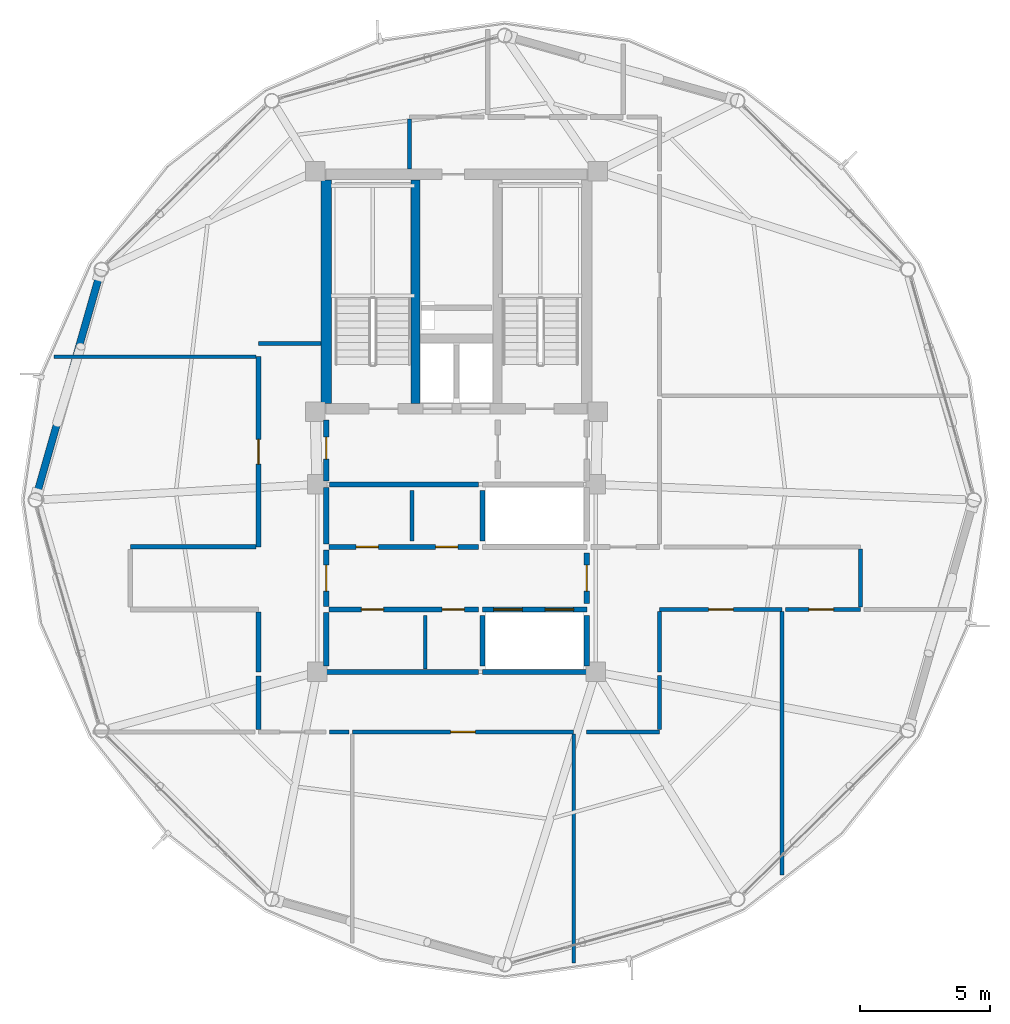
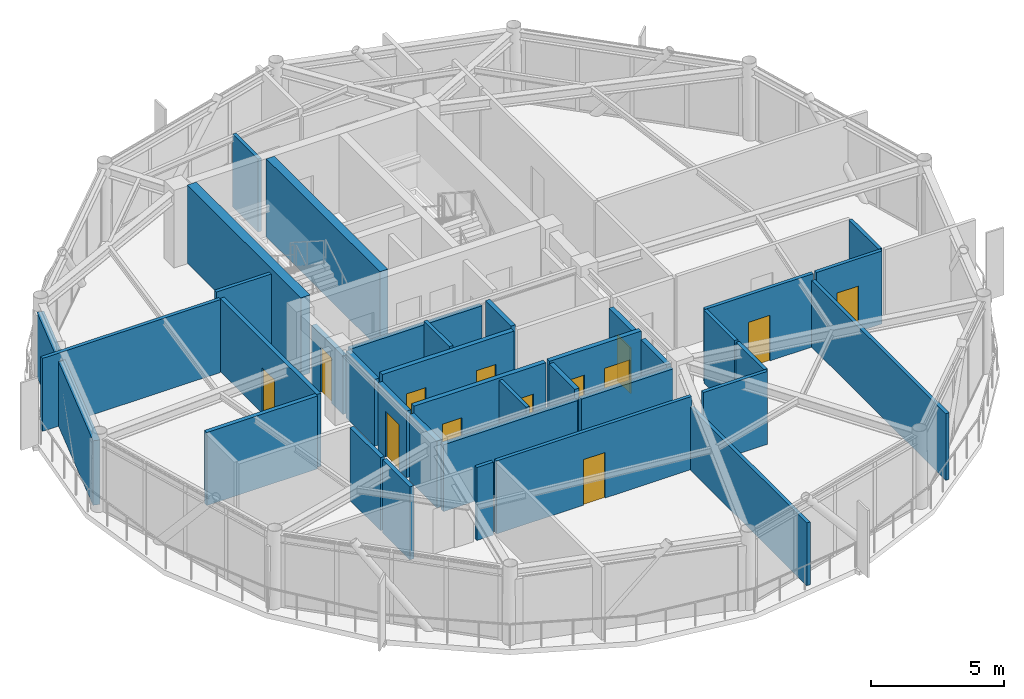
# One storey, part 19 of 24: 36 walls, 13 doors, 13 openings.
"""IFC4 building model written with IfcOpenShell, lengths in metres."""

from ifc_helpers import new_model, si_unit, direction, frame, frame_2d, origin, place, context, subcontext, project, spatial, rectangle, extrude, material, layer, layer_set, type_object, element, fill, save


model = new_model("IFC4")

# Units and contexts
model_context = context("Model", 3, precision=1e-05, world=origin(), true_north=direction((0.0, 1.0)))
body_context = subcontext(model_context, "Body", "Model", "MODEL_VIEW")
ifc_project = project(units=[si_unit("LENGTHUNIT", "METRE"), si_unit("AREAUNIT", "SQUARE_METRE"), si_unit("VOLUMEUNIT", "CUBIC_METRE"), si_unit("PLANEANGLEUNIT", "RADIAN"), si_unit("MASSUNIT", "GRAM", prefix="KILO")], contexts=[model_context])

# Site, building, storey
site_placement = place(None, origin())
site = spatial("IfcSite", under=ifc_project, at=site_placement, CompositionType="ELEMENT")
building_placement = place(site_placement, origin())
building = spatial("IfcBuilding", under=site, at=building_placement, Name="Varnakorn Sky Granary", CompositionType="ELEMENT")
storey_placement = place(building_placement, frame((0.0, 0.0, 274.199951171875)))
storey = spatial("IfcBuildingStorey", under=building, at=storey_placement, Name="L70", CompositionType="ELEMENT", Elevation=274.199951171875)

# Walls
ifc_material_1 = material(Name="Concrete C50/60", Category="concrete")
ifc_layer_1 = layer(ifc_material_1, 0.35009765625, Name="Concrete C50/60")
ifc_layer_set_1 = layer_set([ifc_layer_1], Name="Concrete C50/60")
wall_type_1 = type_object("IfcWallType", Name="WT-CW-INT-350", PredefinedType="SHEAR", material=ifc_layer_set_1)
wall_1_placement = place(storey_placement, frame((1.419921875, 3.7099609375, 0.0), z_axis=(0.0, 0.0, 1.0), x_axis=(0.0, 1.0, 0.0)))
element("IfcWall", 1, at=wall_1_placement, inside=storey, type_object=wall_type_1, Name="Stair ST-1 Core Wall L70", PredefinedType="SHEAR", context=body_context, shape_type="SweptSolid", body=[
    extrude(rectangle(XDim=8.580078125, YDim=0.35009765625, at=frame_2d((4.2900390625, 0.0))), origin(), (0.0, 0.0, 1.0), 3.592041015625),
])
ifc_layer_2 = layer(ifc_material_1, 0.39990234375, Name="Concrete C50/60")
ifc_layer_set_2 = layer_set([ifc_layer_2], Name="Concrete C50/60")
wall_type_2 = type_object("IfcWallType", Name="WT-CW-SHEAR-400", PredefinedType="SHEAR", material=ifc_layer_set_2)
wall_2_placement = place(storey_placement, frame((-2.0, 3.7099609375, 0.0), z_axis=(0.0, 0.0, 1.0), x_axis=(0.0, 1.0, 0.0)))
element("IfcWall", 2, at=wall_2_placement, inside=storey, type_object=wall_type_2, Name="Core West Shear Wall L70", PredefinedType="SHEAR", context=body_context, shape_type="SweptSolid", body=[
    extrude(rectangle(XDim=8.580078125, YDim=0.39990234375, at=frame_2d((4.2900390625, 0.0))), origin(), (0.0, 0.0, 1.0), 3.592041015625),
])
ifc_material_2 = material(Name="Precast concrete C40/50", Category="concrete")
ifc_layer_3 = layer(ifc_material_2, 0.280029296875, Name="Precast concrete C40/50")
ifc_layer_set_3 = layer_set([ifc_layer_3], Name="Precast concrete C40/50")
wall_type_3 = type_object("IfcWallType", Name="WT-EW-CRN-280", PredefinedType="SOLIDWALL", material=ifc_layer_set_3)
wall_3_placement = place(storey_placement, frame((-13.1064453125, 0.2255859375, 0.0), z_axis=(0.0, 0.0, 1.0), x_axis=(0.275001644037, 0.961443755909, 0.0)))
element("IfcWall", 3, at=wall_3_placement, inside=storey, type_object=wall_type_3, Name="Agritech Insulated Precast Facade Wall L70-P06", PredefinedType="SOLIDWALL", context=body_context, shape_type="SweptSolid", body=[
    extrude(rectangle(XDim=8.73583984375, YDim=0.280029296875, at=frame_2d((4.367919921875, 0.0))), origin(), (0.0, 0.0, 1.0), 2.969970703125),
])

# Wall, opening, door
ifc_material_3 = material(Name="Autoclaved Aerated Concrete Blockwork", Category="masonry")
ifc_layer_4 = layer(ifc_material_3, 0.199951171875, Name="Autoclaved Aerated Concrete Blockwork")
ifc_layer_set_4 = layer_set([ifc_layer_4], Name="Autoclaved Aerated Concrete Blockwork")
wall_type_4 = type_object("IfcWallType", Name="WT-FIRE-200", PredefinedType="MOVABLE", material=ifc_layer_set_4)
wall_4_placement = place(storey_placement, frame((-2.0, 0.719970703125, 0.0), z_axis=(0.0, 0.0, 1.0), x_axis=(0.0, 1.0, 0.0)))
wall_4 = element("IfcWall", 4, at=wall_4_placement, inside=storey, type_object=wall_type_4, Name="Interior Partition Wall L70-012", PredefinedType="MOVABLE", context=body_context, shape_type="SweptSolid", body=[
    extrude(rectangle(XDim=2.35009765625, YDim=0.199951171875, at=frame_2d((1.175048828125, 0.0))), origin(), (0.0, 0.0, 1.0), 2.692138671875),
])
opening_1_placement = place(wall_4_placement, frame((0.844970703125, 0.0, 0.0)))
opening_1 = element("IfcOpeningElement", 5, at=opening_1_placement, cuts=wall_4, Name="Opening FD-60N", PredefinedType="OPENING", context=body_context, shape_type="SweptSolid", body=[
    extrude(rectangle(XDim=0.85009765625, YDim=2.10009765625, at=frame_2d((0.425048828125, 1.050048828125))), frame((0.0, 0.10986328125, 0.0), z_axis=(0.0, -1.0, 0.0), x_axis=(1.0, 0.0, 0.0)), (0.0, 0.0, 1.0), 0.219970703125),
])
ifc_material_4 = material(Name="Acoustic Timber Fire Leaf", Category="wood")
door_type_1 = type_object("IfcDoorType", Name="DR-FD60-850", OperationType="NOTDEFINED", PredefinedType="DOOR", material=ifc_material_4)
door_1_placement = place(opening_1_placement, origin())
door_1 = element("IfcDoor", 6, at=door_1_placement, inside=storey, type_object=door_type_1, Name="Interior Door L70-012-1", OperationType="SINGLE_SWING_LEFT", OverallHeight=2.10009765625, OverallWidth=0.85009765625, PredefinedType="DOOR", context=body_context, shape_type="SweptSolid", body=[
    extrude(rectangle(XDim=0.85009765625, YDim=2.10009765625, at=frame_2d((0.425048828125, 1.050048828125))), frame((0.0, 0.02490234375, 0.0), z_axis=(0.0, -1.0, 0.0), x_axis=(1.0, 0.0, 0.0)), (0.0, 0.0, 1.0), 0.050048828125),
])
fill(opening_1, door_1)

wall_5_placement = place(storey_placement, frame((-2.0, -4.080078125, 0.0), z_axis=(0.0, 0.0, 1.0), x_axis=(0.0, 1.0, 0.0)))
wall_5 = element("IfcWall", 7, at=wall_5_placement, inside=storey, type_object=wall_type_4, Name="Interior Partition Wall L70-014", PredefinedType="MOVABLE", context=body_context, shape_type="SweptSolid", body=[
    extrude(rectangle(XDim=2.16015625, YDim=0.199951171875, at=frame_2d((1.080078125, 0.0))), origin(), (0.0, 0.0, 1.0), 3.072021484375),
])
opening_2_placement = place(wall_5_placement, frame((0.580078125, 0.0, 0.0)))
opening_2 = element("IfcOpeningElement", 8, at=opening_2_placement, cuts=wall_5, Name="Opening FD-60", PredefinedType="OPENING", context=body_context, shape_type="SweptSolid", body=[
    extrude(rectangle(XDim=1.0, YDim=2.10009765625, at=frame_2d((0.5, 1.050048828125))), frame((0.0, 0.10986328125, 0.0), z_axis=(0.0, -1.0, 0.0), x_axis=(1.0, 0.0, 0.0)), (0.0, 0.0, 1.0), 0.219970703125),
])
door_type_2 = type_object("IfcDoorType", Name="DR-FD60-1000", OperationType="NOTDEFINED", PredefinedType="DOOR", material=ifc_material_4)
door_2_placement = place(opening_2_placement, origin())
door_2 = element("IfcDoor", 9, at=door_2_placement, inside=storey, type_object=door_type_2, Name="Interior Door L70-014-1", OperationType="SINGLE_SWING_LEFT", OverallHeight=2.10009765625, OverallWidth=1.0, PredefinedType="DOOR", context=body_context, shape_type="SweptSolid", body=[
    extrude(rectangle(XDim=1.0, YDim=2.10009765625, at=frame_2d((0.5, 1.050048828125))), frame((0.0, 0.02490234375, 0.0), z_axis=(0.0, -1.0, 0.0), x_axis=(1.0, 0.0, 0.0)), (0.0, 0.0, 1.0), 0.050048828125),
])
fill(opening_2, door_2)

wall_6_placement = place(storey_placement, frame((8.0, -3.969970703125, 0.0), z_axis=(0.0, 0.0, 1.0), x_axis=(0.0, 1.0, 0.0)))
wall_6 = element("IfcWall", 10, at=wall_6_placement, inside=storey, type_object=wall_type_4, Name="Interior Partition Wall L70-015", PredefinedType="MOVABLE", context=body_context, shape_type="SweptSolid", body=[
    extrude(rectangle(XDim=1.93994140625, YDim=0.199951171875, at=frame_2d((0.969970703125, 0.0))), origin(), (0.0, 0.0, 1.0), 3.072021484375),
])
opening_3_placement = place(wall_6_placement, frame((0.469970703125, 0.0, 0.0)))
opening_3 = element("IfcOpeningElement", 11, at=opening_3_placement, cuts=wall_6, Name="Opening FD-60", PredefinedType="OPENING", context=body_context, shape_type="SweptSolid", body=[
    extrude(rectangle(XDim=1.0, YDim=2.10009765625, at=frame_2d((0.5, 1.050048828125))), frame((0.0, 0.10986328125, 0.0), z_axis=(0.0, -1.0, 0.0), x_axis=(1.0, 0.0, 0.0)), (0.0, 0.0, 1.0), 0.219970703125),
])
door_3_placement = place(opening_3_placement, origin())
door_3 = element("IfcDoor", 12, at=door_3_placement, inside=storey, type_object=door_type_2, Name="Interior Door L70-015-1", OperationType="SINGLE_SWING_RIGHT", OverallHeight=2.10009765625, OverallWidth=1.0, PredefinedType="DOOR", context=body_context, shape_type="SweptSolid", body=[
    extrude(rectangle(XDim=1.0, YDim=2.10009765625, at=frame_2d((0.5, 1.050048828125))), frame((0.0, 0.02490234375, 0.0), z_axis=(0.0, -1.0, 0.0), x_axis=(1.0, 0.0, 0.0)), (0.0, 0.0, 1.0), 0.050048828125),
])
fill(opening_3, door_3)

# Wall, openings, doors
wall_7_placement = place(storey_placement, frame((-1.889892578125, -1.800048828125, 0.0), z_axis=(0.0, 0.0, 1.0), x_axis=(1.0, 0.0, 0.0)))
wall_7 = element("IfcWall", 13, at=wall_7_placement, inside=storey, type_object=wall_type_4, Name="Interior Partition Wall L70-016", PredefinedType="MOVABLE", context=body_context, shape_type="SweptSolid", body=[
    extrude(rectangle(XDim=5.72998046875, YDim=0.199951171875, at=frame_2d((2.864990234375, 0.0))), origin(), (0.0, 0.0, 1.0), 3.360107421875),
])
opening_4_placement = place(wall_7_placement, frame((1.0400390625, 0.0, 0.0)))
opening_4 = element("IfcOpeningElement", 14, at=opening_4_placement, cuts=wall_7, Name="Opening FD-60N", PredefinedType="OPENING", context=body_context, shape_type="SweptSolid", body=[
    extrude(rectangle(XDim=0.85009765625, YDim=2.10009765625, at=frame_2d((0.425048828125, 1.050048828125))), frame((0.0, 0.10986328125, 0.0), z_axis=(0.0, -1.0, 0.0), x_axis=(1.0, 0.0, 0.0)), (0.0, 0.0, 1.0), 0.219970703125),
])
opening_5_placement = place(wall_7_placement, frame((4.090087890625, 0.0, 0.0)))
opening_5 = element("IfcOpeningElement", 15, at=opening_5_placement, cuts=wall_7, Name="Opening FD-60N", PredefinedType="OPENING", context=body_context, shape_type="SweptSolid", body=[
    extrude(rectangle(XDim=0.85009765625, YDim=2.10009765625, at=frame_2d((0.425048828125, 1.050048828125))), frame((0.0, 0.10986328125, 0.0), z_axis=(0.0, -1.0, 0.0), x_axis=(1.0, 0.0, 0.0)), (0.0, 0.0, 1.0), 0.219970703125),
])
door_4_placement = place(opening_4_placement, origin())
door_4 = element("IfcDoor", 16, at=door_4_placement, inside=storey, type_object=door_type_1, Name="Interior Door L70-016-1", OperationType="SINGLE_SWING_LEFT", OverallHeight=2.10009765625, OverallWidth=0.85009765625, PredefinedType="DOOR", context=body_context, shape_type="SweptSolid", body=[
    extrude(rectangle(XDim=0.85009765625, YDim=2.10009765625, at=frame_2d((0.425048828125, 1.050048828125))), frame((0.0, 0.02490234375, 0.0), z_axis=(0.0, -1.0, 0.0), x_axis=(1.0, 0.0, 0.0)), (0.0, 0.0, 1.0), 0.050048828125),
])
fill(opening_4, door_4)
door_5_placement = place(opening_5_placement, origin())
door_5 = element("IfcDoor", 17, at=door_5_placement, inside=storey, type_object=door_type_1, Name="Interior Door L70-016-2", OperationType="SINGLE_SWING_RIGHT", OverallHeight=2.10009765625, OverallWidth=0.85009765625, PredefinedType="DOOR", context=body_context, shape_type="SweptSolid", body=[
    extrude(rectangle(XDim=0.85009765625, YDim=2.10009765625, at=frame_2d((0.425048828125, 1.050048828125))), frame((0.0, 0.02490234375, 0.0), z_axis=(0.0, -1.0, 0.0), x_axis=(1.0, 0.0, 0.0)), (0.0, 0.0, 1.0), 0.050048828125),
])
fill(opening_5, door_5)

wall_8_placement = place(storey_placement, frame((-1.889892578125, -4.199951171875, 0.0), z_axis=(0.0, 0.0, 1.0), x_axis=(1.0, 0.0, 0.0)))
wall_8 = element("IfcWall", 18, at=wall_8_placement, inside=storey, type_object=wall_type_4, Name="Interior Partition Wall L70-017", PredefinedType="MOVABLE", context=body_context, shape_type="SweptSolid", body=[
    extrude(rectangle(XDim=5.72998046875, YDim=0.199951171875, at=frame_2d((2.864990234375, 0.0))), origin(), (0.0, 0.0, 1.0), 3.360107421875),
])
opening_6_placement = place(wall_8_placement, frame((1.239990234375, 0.0, 0.0)))
opening_6 = element("IfcOpeningElement", 19, at=opening_6_placement, cuts=wall_8, Name="Opening FD-60N", PredefinedType="OPENING", context=body_context, shape_type="SweptSolid", body=[
    extrude(rectangle(XDim=0.85009765625, YDim=2.10009765625, at=frame_2d((0.425048828125, 1.050048828125))), frame((0.0, 0.10986328125, 0.0), z_axis=(0.0, -1.0, 0.0), x_axis=(1.0, 0.0, 0.0)), (0.0, 0.0, 1.0), 0.219970703125),
])
opening_7_placement = place(wall_8_placement, frame((4.340087890625, 0.0, 0.0)))
opening_7 = element("IfcOpeningElement", 20, at=opening_7_placement, cuts=wall_8, Name="Opening FD-60N", PredefinedType="OPENING", context=body_context, shape_type="SweptSolid", body=[
    extrude(rectangle(XDim=0.85009765625, YDim=2.10009765625, at=frame_2d((0.425048828125, 1.050048828125))), frame((0.0, 0.10986328125, 0.0), z_axis=(0.0, -1.0, 0.0), x_axis=(1.0, 0.0, 0.0)), (0.0, 0.0, 1.0), 0.219970703125),
])
door_6_placement = place(opening_6_placement, origin())
door_6 = element("IfcDoor", 21, at=door_6_placement, inside=storey, type_object=door_type_1, Name="Interior Door L70-017-1", OperationType="SINGLE_SWING_LEFT", OverallHeight=2.10009765625, OverallWidth=0.85009765625, PredefinedType="DOOR", context=body_context, shape_type="SweptSolid", body=[
    extrude(rectangle(XDim=0.85009765625, YDim=2.10009765625, at=frame_2d((0.425048828125, 1.050048828125))), frame((0.0, 0.02490234375, 0.0), z_axis=(0.0, -1.0, 0.0), x_axis=(1.0, 0.0, 0.0)), (0.0, 0.0, 1.0), 0.050048828125),
])
fill(opening_6, door_6)
door_7_placement = place(opening_7_placement, origin())
door_7 = element("IfcDoor", 22, at=door_7_placement, inside=storey, type_object=door_type_1, Name="Interior Door L70-017-2", OperationType="SINGLE_SWING_RIGHT", OverallHeight=2.10009765625, OverallWidth=0.85009765625, PredefinedType="DOOR", context=body_context, shape_type="SweptSolid", body=[
    extrude(rectangle(XDim=0.85009765625, YDim=2.10009765625, at=frame_2d((0.425048828125, 1.050048828125))), frame((0.0, 0.02490234375, 0.0), z_axis=(0.0, -1.0, 0.0), x_axis=(1.0, 0.0, 0.0)), (0.0, 0.0, 1.0), 0.050048828125),
])
fill(opening_7, door_7)

# Walls
wall_9_placement = place(storey_placement, frame((-1.8798828125, 0.60009765625, 0.0), z_axis=(0.0, 0.0, 1.0), x_axis=(1.0, 0.0, 0.0)))
element("IfcWall", 23, at=wall_9_placement, inside=storey, type_object=wall_type_4, Name="Interior Partition Wall L70-028", PredefinedType="MOVABLE", context=body_context, shape_type="SweptSolid", body=[
    extrude(rectangle(XDim=5.719970703125, YDim=0.199951171875, at=frame_2d((2.85986328125, 0.0))), origin(), (0.0, 0.0, 1.0), 3.072021484375),
])
wall_10_placement = place(storey_placement, frame((-2.0, -1.679931640625, 0.0), z_axis=(0.0, 0.0, 1.0), x_axis=(0.0, 1.0, 0.0)))
element("IfcWall", 24, at=wall_10_placement, inside=storey, type_object=wall_type_4, Name="Interior Partition Wall L70-030", PredefinedType="MOVABLE", context=body_context, shape_type="SweptSolid", body=[
    extrude(rectangle(XDim=2.159912109375, YDim=0.199951171875, at=frame_2d((1.080078125, 0.0))), origin(), (0.0, 0.0, 1.0), 3.072021484375),
])
wall_11_placement = place(storey_placement, frame((-2.0, -6.60009765625, 0.0), z_axis=(0.0, 0.0, 1.0), x_axis=(1.0, 0.0, 0.0)))
element("IfcWall", 25, at=wall_11_placement, inside=storey, type_object=wall_type_4, Name="Interior Partition Wall L70-032", PredefinedType="MOVABLE", context=body_context, shape_type="SweptSolid", body=[
    extrude(rectangle(XDim=5.840087890625, YDim=0.199951171875, at=frame_2d((2.919921875, 0.0))), origin(), (0.0, 0.0, 1.0), 3.072021484375),
])
wall_12_placement = place(storey_placement, frame((-2.0, -6.3701171875, 0.0), z_axis=(0.0, 0.0, 1.0), x_axis=(0.0, 1.0, 0.0)))
element("IfcWall", 26, at=wall_12_placement, inside=storey, type_object=wall_type_4, Name="Interior Partition Wall L70-033", PredefinedType="MOVABLE", context=body_context, shape_type="SweptSolid", body=[
    extrude(rectangle(XDim=2.050048828125, YDim=0.199951171875, at=frame_2d((1.02490234375, 0.0))), origin(), (0.0, 0.0, 1.0), 3.072021484375),
])

# Wall, opening, door
ifc_material_5 = material(Name="Gypsum Plasterboard on Steel Stud", Category="steel")
ifc_layer_5 = layer(ifc_material_5, 0.14990234375, Name="Gypsum Plasterboard on Steel Stud")
ifc_layer_set_5 = layer_set([ifc_layer_5], Name="Gypsum Plasterboard on Steel Stud")
wall_type_5 = type_object("IfcWallType", Name="WT-PART-150", PredefinedType="PARTITIONING", material=ifc_layer_set_5)
wall_13_placement = place(storey_placement, frame((-1.0, -8.89990234375, 0.0), z_axis=(0.0, 0.0, 1.0), x_axis=(1.0, 0.0, 0.0)))
wall_13 = element("IfcWall", 27, at=wall_13_placement, inside=storey, type_object=wall_type_5, Name="Interior Partition Wall L70-021", PredefinedType="PARTITIONING", context=body_context, shape_type="SweptSolid", body=[
    extrude(rectangle(XDim=8.5, YDim=0.14990234375, at=frame_2d((4.25, 0.0))), origin(), (0.0, 0.0, 1.0), 3.360107421875),
])
opening_8_placement = place(wall_13_placement, frame((3.77490234375, 0.0, 0.0)))
opening_8 = element("IfcOpeningElement", 28, at=opening_8_placement, cuts=wall_13, Name="Opening ID-95", PredefinedType="OPENING", context=body_context, shape_type="SweptSolid", body=[
    extrude(rectangle(XDim=0.949951171875, YDim=2.10009765625, at=frame_2d((0.47509765625, 1.050048828125))), frame((0.0, 0.0849609375, 0.0), z_axis=(0.0, -1.0, 0.0), x_axis=(1.0, 0.0, 0.0)), (0.0, 0.0, 1.0), 0.169921875),
])
ifc_material_6 = material(Name="Solid-Core Teak Veneer Leaf", Category="timber")
door_type_3 = type_object("IfcDoorType", Name="DR-INT-950", OperationType="NOTDEFINED", PredefinedType="DOOR", material=ifc_material_6)
door_8_placement = place(opening_8_placement, origin())
door_8 = element("IfcDoor", 29, at=door_8_placement, inside=storey, type_object=door_type_3, Name="Interior Door L70-021-1", OperationType="SINGLE_SWING_RIGHT", OverallHeight=2.10009765625, OverallWidth=0.949951171875, PredefinedType="DOOR", context=body_context, shape_type="SweptSolid", body=[
    extrude(rectangle(XDim=0.949951171875, YDim=2.10009765625, at=frame_2d((0.47509765625, 1.050048828125))), frame((0.0, 0.02490234375, 0.0), z_axis=(0.0, -1.0, 0.0), x_axis=(1.0, 0.0, 0.0)), (0.0, 0.0, 1.0), 0.050048828125),
])
fill(opening_8, door_8)

wall_14_placement = place(storey_placement, frame((10.800048828125, -4.199951171875, 0.0), z_axis=(0.0, 0.0, 1.0), x_axis=(1.0, 0.0, 0.0)))
wall_14 = element("IfcWall", 30, at=wall_14_placement, inside=storey, type_object=wall_type_5, Name="Interior Partition Wall L70-022", PredefinedType="PARTITIONING", context=body_context, shape_type="SweptSolid", body=[
    extrude(rectangle(XDim=4.699951171875, YDim=0.14990234375, at=frame_2d((2.35009765625, 0.0))), origin(), (0.0, 0.0, 1.0), 3.360107421875),
])
opening_9_placement = place(wall_14_placement, frame((1.875, 0.0, 0.0)))
opening_9 = element("IfcOpeningElement", 31, at=opening_9_placement, cuts=wall_14, Name="Opening ID-95", PredefinedType="OPENING", context=body_context, shape_type="SweptSolid", body=[
    extrude(rectangle(XDim=0.949951171875, YDim=2.10009765625, at=frame_2d((0.47509765625, 1.050048828125))), frame((0.0, 0.0849609375, 0.0), z_axis=(0.0, -1.0, 0.0), x_axis=(1.0, 0.0, 0.0)), (0.0, 0.0, 1.0), 0.169921875),
])
door_9_placement = place(opening_9_placement, origin())
door_9 = element("IfcDoor", 32, at=door_9_placement, inside=storey, type_object=door_type_3, Name="Interior Door L70-022-1", OperationType="SINGLE_SWING_LEFT", OverallHeight=2.10009765625, OverallWidth=0.949951171875, PredefinedType="DOOR", context=body_context, shape_type="SweptSolid", body=[
    extrude(rectangle(XDim=0.949951171875, YDim=2.10009765625, at=frame_2d((0.47509765625, 1.050048828125))), frame((0.0, 0.02490234375, 0.0), z_axis=(0.0, -1.0, 0.0), x_axis=(1.0, 0.0, 0.0)), (0.0, 0.0, 1.0), 0.050048828125),
])
fill(opening_9, door_9)

wall_15_placement = place(storey_placement, frame((15.635009765625, -4.199951171875, 0.0), z_axis=(0.0, 0.0, 1.0), x_axis=(1.0, 0.0, 0.0)))
wall_15 = element("IfcWall", 33, at=wall_15_placement, inside=storey, type_object=wall_type_5, Name="Interior Partition Wall L70-023", PredefinedType="PARTITIONING", context=body_context, shape_type="SweptSolid", body=[
    extrude(rectangle(XDim=2.864990234375, YDim=0.14990234375, at=frame_2d((1.4326171875, 0.0))), origin(), (0.0, 0.0, 1.0), 3.360107421875),
])
opening_10_placement = place(wall_15_placement, frame((0.889892578125, 0.0, 0.0)))
opening_10 = element("IfcOpeningElement", 34, at=opening_10_placement, cuts=wall_15, Name="Opening ID-95", PredefinedType="OPENING", context=body_context, shape_type="SweptSolid", body=[
    extrude(rectangle(XDim=0.949951171875, YDim=2.10009765625, at=frame_2d((0.47509765625, 1.050048828125))), frame((0.0, 0.0849609375, 0.0), z_axis=(0.0, -1.0, 0.0), x_axis=(1.0, 0.0, 0.0)), (0.0, 0.0, 1.0), 0.169921875),
])
door_10_placement = place(opening_10_placement, origin())
door_10 = element("IfcDoor", 35, at=door_10_placement, inside=storey, type_object=door_type_3, Name="Interior Door L70-023-1", OperationType="SINGLE_SWING_RIGHT", OverallHeight=2.10009765625, OverallWidth=0.949951171875, PredefinedType="DOOR", context=body_context, shape_type="SweptSolid", body=[
    extrude(rectangle(XDim=0.949951171875, YDim=2.10009765625, at=frame_2d((0.47509765625, 1.050048828125))), frame((0.0, 0.02490234375, 0.0), z_axis=(0.0, -1.0, 0.0), x_axis=(1.0, 0.0, 0.0)), (0.0, 0.0, 1.0), 0.050048828125),
])
fill(opening_10, door_10)

# Walls
wall_16_placement = place(storey_placement, frame((1.300048828125, -1.570068359375, 0.0), z_axis=(0.0, 0.0, 1.0), x_axis=(0.0, 1.0, 0.0)))
element("IfcWall", 36, at=wall_16_placement, inside=storey, type_object=wall_type_5, Name="Interior Partition Wall L70-029", PredefinedType="PARTITIONING", context=body_context, shape_type="SweptSolid", body=[
    extrude(rectangle(XDim=1.940185546875, YDim=0.14990234375, at=frame_2d((0.97021484375, 0.0))), origin(), (0.0, 0.0, 1.0), 3.360107421875),
])
wall_17_placement = place(storey_placement, frame((1.800048828125, -6.47998046875, 0.0), z_axis=(0.0, 0.0, 1.0), x_axis=(0.0, 1.0, 0.0)))
element("IfcWall", 37, at=wall_17_placement, inside=storey, type_object=wall_type_5, Name="Interior Partition Wall L70-031", PredefinedType="PARTITIONING", context=body_context, shape_type="SweptSolid", body=[
    extrude(rectangle(XDim=2.050048828125, YDim=0.14990234375, at=frame_2d((1.02490234375, 0.0))), origin(), (0.0, 0.0, 1.0), 3.360107421875),
])
wall_18_placement = place(storey_placement, frame((-1.864990234375, -8.89990234375, 0.0), z_axis=(0.0, 0.0, 1.0), x_axis=(1.0, 0.0, 0.0)))
element("IfcWall", 38, at=wall_18_placement, inside=storey, type_object=wall_type_5, Name="Interior Partition Wall L70-035", PredefinedType="PARTITIONING", context=body_context, shape_type="SweptSolid", body=[
    extrude(rectangle(XDim=0.72998046875, YDim=0.14990234375, at=frame_2d((0.364990234375, 0.0))), origin(), (0.0, 0.0, 1.0), 3.360107421875),
])
wall_19_placement = place(storey_placement, frame((7.5, -8.985107421875, 0.0), z_axis=(0.0, 0.0, 1.0), x_axis=(0.0, -1.0, 0.0)))
element("IfcWall", 39, at=wall_19_placement, inside=storey, type_object=wall_type_5, Name="Interior Partition Wall L70-038", PredefinedType="PARTITIONING", context=body_context, shape_type="SweptSolid", body=[
    extrude(rectangle(XDim=8.788818359375, YDim=0.14990234375, at=frame_2d((4.39453125, 0.0))), origin(), (0.0, 0.0, 1.0), 2.89208984375),
])
wall_20_placement = place(storey_placement, frame((8.0, -8.89990234375, 0.0), z_axis=(0.0, 0.0, 1.0), x_axis=(1.0, 0.0, 0.0)))
element("IfcWall", 40, at=wall_20_placement, inside=storey, type_object=wall_type_5, Name="Interior Partition Wall L70-039", PredefinedType="PARTITIONING", context=body_context, shape_type="SweptSolid", body=[
    extrude(rectangle(XDim=2.800048828125, YDim=0.14990234375, at=frame_2d((1.39990234375, 0.0))), origin(), (0.0, 0.0, 1.0), 3.360107421875),
])
wall_21_placement = place(storey_placement, frame((10.800048828125, -6.60009765625, 0.0), z_axis=(0.0, 0.0, 1.0), x_axis=(0.0, 1.0, 0.0)))
element("IfcWall", 41, at=wall_21_placement, inside=storey, type_object=wall_type_5, Name="Interior Partition Wall L70-040", PredefinedType="PARTITIONING", context=body_context, shape_type="SweptSolid", body=[
    extrude(rectangle(XDim=2.315185546875, YDim=0.14990234375, at=frame_2d((1.15771484375, 0.0))), origin(), (0.0, 0.0, 1.0), 3.360107421875),
])
wall_22_placement = place(storey_placement, frame((10.800048828125, -8.81494140625, 0.0), z_axis=(0.0, 0.0, 1.0), x_axis=(0.0, 1.0, 0.0)))
element("IfcWall", 42, at=wall_22_placement, inside=storey, type_object=wall_type_5, Name="Interior Partition Wall L70-041", PredefinedType="PARTITIONING", context=body_context, shape_type="SweptSolid", body=[
    extrude(rectangle(XDim=2.079833984375, YDim=0.14990234375, at=frame_2d((1.0400390625, 0.0))), origin(), (0.0, 0.0, 1.0), 3.360107421875),
])
wall_23_placement = place(storey_placement, frame((15.5, -4.284912109375, 0.0), z_axis=(0.0, 0.0, 1.0), x_axis=(0.0, -1.0, 0.0)))
element("IfcWall", 43, at=wall_23_placement, inside=storey, type_object=wall_type_5, Name="Interior Partition Wall L70-042", PredefinedType="PARTITIONING", context=body_context, shape_type="SweptSolid", body=[
    extrude(rectangle(XDim=10.110107421875, YDim=0.14990234375, at=frame_2d((5.05517578125, 0.0))), origin(), (0.0, 0.0, 1.0), 3.072021484375),
])
wall_24_placement = place(storey_placement, frame((-12.452880859375, 5.5, 0.0), z_axis=(0.0, 0.0, 1.0), x_axis=(1.0, 0.0, 0.0)))
element("IfcWall", 44, at=wall_24_placement, inside=storey, type_object=wall_type_5, Name="Interior Partition Wall L70-049", PredefinedType="PARTITIONING", context=body_context, shape_type="SweptSolid", body=[
    extrude(rectangle(XDim=7.7529296875, YDim=0.14990234375, at=frame_2d((3.87646484375, 0.0))), origin(), (0.0, 0.0, 1.0), 3.360107421875),
])
wall_25_placement = place(storey_placement, frame((1.199951171875, 14.614990234375, 0.0), z_axis=(0.0, 0.0, 1.0), x_axis=(0.0, -1.0, 0.0)))
element("IfcWall", 45, at=wall_25_placement, inside=storey, type_object=wall_type_5, Name="Interior Partition Wall L70-050", PredefinedType="PARTITIONING", context=body_context, shape_type="SweptSolid", body=[
    extrude(rectangle(XDim=1.905029296875, YDim=0.14990234375, at=frame_2d((0.95263671875, 0.0))), origin(), (0.0, 0.0, 1.0), 3.360107421875),
])
wall_26_placement = place(storey_placement, frame((-2.2099609375, 6.0, 0.0), z_axis=(0.0, 0.0, 1.0), x_axis=(-1.0, 0.0, 0.0)))
element("IfcWall", 46, at=wall_26_placement, inside=storey, type_object=wall_type_5, Name="Interior Partition Wall L70-051", PredefinedType="PARTITIONING", context=body_context, shape_type="SweptSolid", body=[
    extrude(rectangle(XDim=2.39013671875, YDim=0.14990234375, at=frame_2d((1.195068359375, 0.0))), origin(), (0.0, 0.0, 1.0), 3.360107421875),
])
wall_27_placement = place(storey_placement, frame((18.5, -4.114990234375, 0.0), z_axis=(0.0, 0.0, 1.0), x_axis=(0.0, 1.0, 0.0)))
element("IfcWall", 47, at=wall_27_placement, inside=storey, type_object=wall_type_5, Name="Interior Partition Wall L70-053", PredefinedType="PARTITIONING", context=body_context, shape_type="SweptSolid", body=[
    extrude(rectangle(XDim=2.22998046875, YDim=0.14990234375, at=frame_2d((1.114990234375, 0.0))), origin(), (0.0, 0.0, 1.0), 3.360107421875),
])

# Wall, opening, door
ifc_material_7 = material(Name="Moisture-Resistant Gypsum on Stud", Category="gypsum")
ifc_layer_6 = layer(ifc_material_7, 0.179931640625, Name="Moisture-Resistant Gypsum on Stud")
ifc_layer_set_6 = layer_set([ifc_layer_6], Name="Moisture-Resistant Gypsum on Stud")
wall_type_6 = type_object("IfcWallType", Name="WT-PLUMB-180", PredefinedType="PLUMBINGWALL", material=ifc_layer_set_6)
wall_28_placement = place(storey_placement, frame((-4.60009765625, 5.5, 0.0), z_axis=(0.0, 0.0, 1.0), x_axis=(0.0, -1.0, 0.0)))
wall_28 = element("IfcWall", 48, at=wall_28_placement, inside=storey, type_object=wall_type_6, Name="Interior Partition Wall L70-024", PredefinedType="PLUMBINGWALL", context=body_context, shape_type="SweptSolid", body=[
    extrude(rectangle(XDim=7.300048828125, YDim=0.179931640625, at=frame_2d((3.64990234375, 0.0))), origin(), (0.0, 0.0, 1.0), 3.360107421875),
])
opening_11_placement = place(wall_28_placement, frame((3.175048828125, 0.0, 0.0)))
opening_11 = element("IfcOpeningElement", 49, at=opening_11_placement, cuts=wall_28, Name="Opening ID-95", PredefinedType="OPENING", context=body_context, shape_type="SweptSolid", body=[
    extrude(rectangle(XDim=0.949951171875, YDim=2.10009765625, at=frame_2d((0.47509765625, 1.050048828125))), frame((0.0, 0.10009765625, 0.0), z_axis=(0.0, -1.0, 0.0), x_axis=(1.0, 0.0, 0.0)), (0.0, 0.0, 1.0), 0.199951171875),
])
door_11_placement = place(opening_11_placement, origin())
door_11 = element("IfcDoor", 50, at=door_11_placement, inside=storey, type_object=door_type_3, Name="Interior Door L70-024-1", OperationType="SINGLE_SWING_LEFT", OverallHeight=2.10009765625, OverallWidth=0.949951171875, PredefinedType="DOOR", context=body_context, shape_type="SweptSolid", body=[
    extrude(rectangle(XDim=0.949951171875, YDim=2.10009765625, at=frame_2d((0.47509765625, 1.050048828125))), frame((0.0, 0.02490234375, 0.0), z_axis=(0.0, -1.0, 0.0), x_axis=(1.0, 0.0, 0.0)), (0.0, 0.0, 1.0), 0.050048828125),
])
fill(opening_11, door_11)

# Walls
wall_29_placement = place(storey_placement, frame((-4.699951171875, -1.800048828125, 0.0), z_axis=(0.0, 0.0, 1.0), x_axis=(-1.0, 0.0, 0.0)))
element("IfcWall", 51, at=wall_29_placement, inside=storey, type_object=wall_type_6, Name="Interior Partition Wall L70-044", PredefinedType="PLUMBINGWALL", context=body_context, shape_type="SweptSolid", body=[
    extrude(rectangle(XDim=4.821044921875, YDim=0.179931640625, at=frame_2d((2.41064453125, 0.0))), origin(), (0.0, 0.0, 1.0), 3.360107421875),
])
wall_30_placement = place(storey_placement, frame((-4.60009765625, -4.300048828125, 0.0), z_axis=(0.0, 0.0, 1.0), x_axis=(0.0, -1.0, 0.0)))
element("IfcWall", 52, at=wall_30_placement, inside=storey, type_object=wall_type_6, Name="Interior Partition Wall L70-047", PredefinedType="PLUMBINGWALL", context=body_context, shape_type="SweptSolid", body=[
    extrude(rectangle(XDim=2.300048828125, YDim=0.179931640625, at=frame_2d((1.14990234375, 0.0))), origin(), (0.0, 0.0, 1.0), 3.360107421875),
])
wall_31_placement = place(storey_placement, frame((-4.60009765625, -6.75, 0.0), z_axis=(0.0, 0.0, 1.0), x_axis=(0.0, -1.0, 0.0)))
element("IfcWall", 53, at=wall_31_placement, inside=storey, type_object=wall_type_6, Name="Interior Partition Wall L70-048", PredefinedType="PLUMBINGWALL", context=body_context, shape_type="SweptSolid", body=[
    extrude(rectangle(XDim=2.06494140625, YDim=0.179931640625, at=frame_2d((1.032470703125, 0.0))), origin(), (0.0, 0.0, 1.0), 3.360107421875),
])
ifc_layer_7 = layer(ifc_material_3, 0.199951171875, Name="Autoclaved Aerated Concrete Blockwork")
ifc_layer_set_7 = layer_set([ifc_layer_7], Name="Autoclaved Aerated Concrete Blockwork")
wall_type_7 = type_object("IfcWallType", Name="WT-SHAFT-200", PredefinedType="SOLIDWALL", material=ifc_layer_set_7)
wall_32_placement = place(storey_placement, frame((4.0, -1.570068359375, 0.0), z_axis=(0.0, 0.0, 1.0), x_axis=(0.0, 1.0, 0.0)))
element("IfcWall", 54, at=wall_32_placement, inside=storey, type_object=wall_type_7, Name="Interior Partition Wall L70-005", PredefinedType="SOLIDWALL", context=body_context, shape_type="SweptSolid", body=[
    extrude(rectangle(XDim=1.940185546875, YDim=0.199951171875, at=frame_2d((0.97021484375, 0.0))), origin(), (0.0, 0.0, 1.0), 3.360107421875),
])

# Wall, openings, doors
wall_33_placement = place(storey_placement, frame((4.0, -4.199951171875, 0.0), z_axis=(0.0, 0.0, 1.0), x_axis=(1.0, 0.0, 0.0)))
wall_33 = element("IfcWall", 55, at=wall_33_placement, inside=storey, type_object=wall_type_7, Name="Interior Partition Wall L70-007", PredefinedType="SOLIDWALL", context=body_context, shape_type="SweptSolid", body=[
    extrude(rectangle(XDim=4.0, YDim=0.199951171875, at=frame_2d((2.0, 0.0))), origin(), (0.0, 0.0, 1.0), 3.360107421875),
])
opening_12_placement = place(wall_33_placement, frame((0.429931640625, 0.0, 0.0)))
opening_12 = element("IfcOpeningElement", 56, at=opening_12_placement, cuts=wall_33, Name="Opening LD-01", PredefinedType="OPENING", context=body_context, shape_type="SweptSolid", body=[
    extrude(rectangle(XDim=1.10009765625, YDim=2.199951171875, at=frame_2d((0.550048828125, 1.10009765625))), frame((0.0, 0.10986328125, 0.0), z_axis=(0.0, -1.0, 0.0), x_axis=(1.0, 0.0, 0.0)), (0.0, 0.0, 1.0), 0.219970703125),
])
opening_13_placement = place(wall_33_placement, frame((2.39990234375, 0.0, 0.0)))
opening_13 = element("IfcOpeningElement", 57, at=opening_13_placement, cuts=wall_33, Name="Opening LD-01", PredefinedType="OPENING", context=body_context, shape_type="SweptSolid", body=[
    extrude(rectangle(XDim=1.10009765625, YDim=2.199951171875, at=frame_2d((0.550048828125, 1.10009765625))), frame((0.0, 0.10986328125, 0.0), z_axis=(0.0, -1.0, 0.0), x_axis=(1.0, 0.0, 0.0)), (0.0, 0.0, 1.0), 0.219970703125),
])
ifc_material_8 = material(Name="Brushed Bronze Stainless Steel", Category="steel")
door_type_4 = type_object("IfcDoorType", Name="DR-LD-1100", OperationType="DOUBLE_DOOR_SLIDING", PredefinedType="DOOR", material=ifc_material_8)
door_12_placement = place(opening_12_placement, origin())
door_12 = element("IfcDoor", 58, at=door_12_placement, inside=storey, type_object=door_type_4, Name="Passenger Lift PL-H1 Sliding Landing Door L70", OperationType="DOUBLE_DOOR_SLIDING", OverallHeight=2.199951171875, OverallWidth=1.10009765625, PredefinedType="DOOR", context=body_context, shape_type="SweptSolid", body=[
    extrude(rectangle(XDim=1.10009765625, YDim=2.199951171875, at=frame_2d((0.550048828125, 1.10009765625))), frame((0.0, 0.02490234375, 0.0), z_axis=(0.0, -1.0, 0.0), x_axis=(1.0, 0.0, 0.0)), (0.0, 0.0, 1.0), 0.050048828125),
])
fill(opening_12, door_12)
door_13_placement = place(opening_13_placement, origin())
door_13 = element("IfcDoor", 59, at=door_13_placement, inside=storey, type_object=door_type_4, Name="Passenger Lift PL-H2 Sliding Landing Door L70", OperationType="DOUBLE_DOOR_SLIDING", OverallHeight=2.199951171875, OverallWidth=1.10009765625, PredefinedType="DOOR", context=body_context, shape_type="SweptSolid", body=[
    extrude(rectangle(XDim=1.10009765625, YDim=2.199951171875, at=frame_2d((0.550048828125, 1.10009765625))), frame((0.0, 0.02490234375, 0.0), z_axis=(0.0, -1.0, 0.0), x_axis=(1.0, 0.0, 0.0)), (0.0, 0.0, 1.0), 0.050048828125),
])
fill(opening_13, door_13)

# Walls
wall_34_placement = place(storey_placement, frame((4.0, -6.60009765625, 0.0), z_axis=(0.0, 0.0, 1.0), x_axis=(1.0, 0.0, 0.0)))
element("IfcWall", 60, at=wall_34_placement, inside=storey, type_object=wall_type_7, Name="Interior Partition Wall L70-008", PredefinedType="SOLIDWALL", context=body_context, shape_type="SweptSolid", body=[
    extrude(rectangle(XDim=4.0, YDim=0.199951171875, at=frame_2d((2.0, 0.0))), origin(), (0.0, 0.0, 1.0), 3.072021484375),
])
wall_35_placement = place(storey_placement, frame((4.0, -6.3701171875, 0.0), z_axis=(0.0, 0.0, 1.0), x_axis=(0.0, 1.0, 0.0)))
element("IfcWall", 61, at=wall_35_placement, inside=storey, type_object=wall_type_7, Name="Interior Partition Wall L70-009", PredefinedType="SOLIDWALL", context=body_context, shape_type="SweptSolid", body=[
    extrude(rectangle(XDim=1.940185546875, YDim=0.199951171875, at=frame_2d((0.97021484375, 0.0))), origin(), (0.0, 0.0, 1.0), 3.360107421875),
])
wall_36_placement = place(storey_placement, frame((8.0, -6.3701171875, 0.0), z_axis=(0.0, 0.0, 1.0), x_axis=(0.0, 1.0, 0.0)))
element("IfcWall", 62, at=wall_36_placement, inside=storey, type_object=wall_type_7, Name="Interior Partition Wall L70-010", PredefinedType="SOLIDWALL", context=body_context, shape_type="SweptSolid", body=[
    extrude(rectangle(XDim=1.940185546875, YDim=0.199951171875, at=frame_2d((0.97021484375, 0.0))), origin(), (0.0, 0.0, 1.0), 3.072021484375),
])

save(model, "model.ifc")
